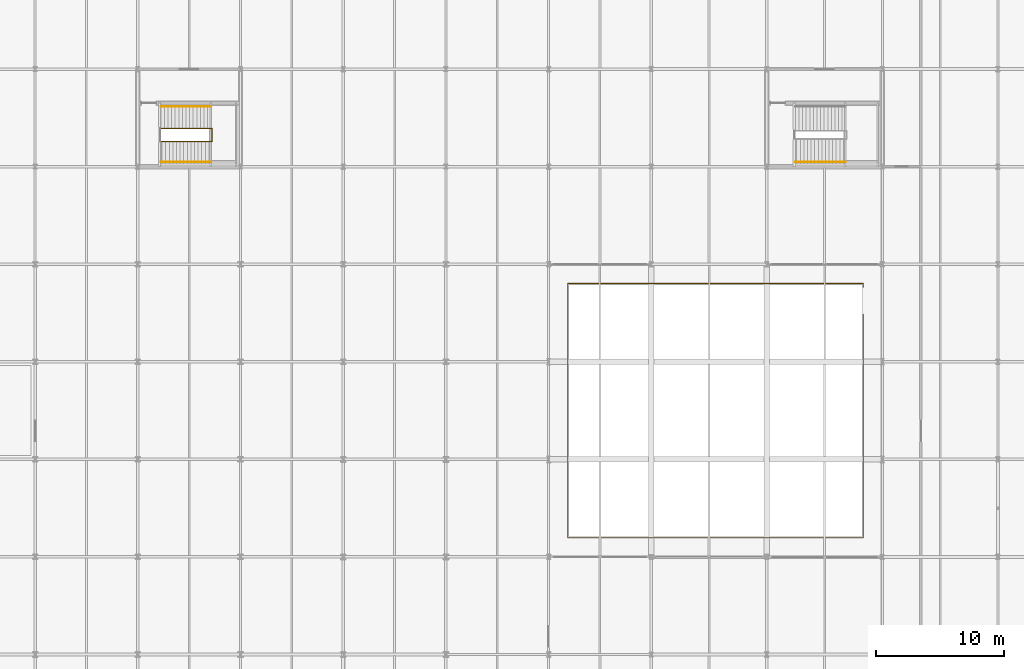
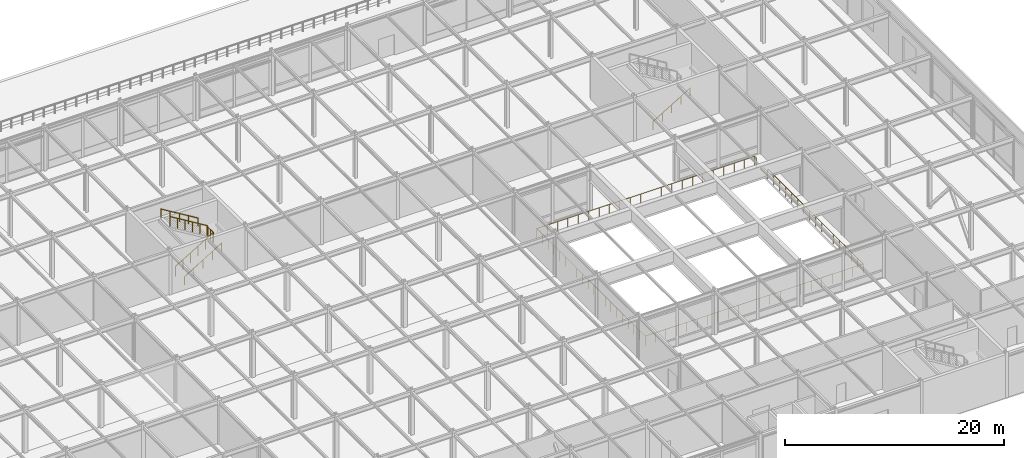
# One storey, part 75 of 79: 5 railings.
"""IFC4 building model written with IfcOpenShell, lengths in metres."""

from ifc_helpers import new_model, si_unit, direction, frame, origin, origin_2d, place, context, subcontext, project, spatial, circle, extrude, material, type_object, element, save


model = new_model("IFC4")

# Units and contexts
model_context = context("Model", 3, precision=1e-05, world=origin(), true_north=direction((0.0, 1.0)))
body_context = subcontext(model_context, "Body", "Model", "MODEL_VIEW")
ifc_project = project(units=[si_unit("LENGTHUNIT", "METRE"), si_unit("AREAUNIT", "SQUARE_METRE"), si_unit("VOLUMEUNIT", "CUBIC_METRE"), si_unit("PLANEANGLEUNIT", "RADIAN"), si_unit("MASSUNIT", "GRAM", prefix="KILO")], contexts=[model_context])

# Site, building, storey
site_placement = place(None, origin())
site = spatial("IfcSite", under=ifc_project, at=site_placement, CompositionType="ELEMENT")
building_placement = place(site_placement, origin())
building = spatial("IfcBuilding", under=site, at=building_placement, Name="Shalkamar Park Central Library", CompositionType="ELEMENT")
storey_placement = place(building_placement, frame((0.0, 0.0, 10.5)))
storey = spatial("IfcBuildingStorey", under=building, at=storey_placement, Name="L03", CompositionType="ELEMENT", Elevation=10.5)

# Railings
ifc_material = material(Name="Steel S355", Category="steel")
railing_type_1 = type_object("IfcRailingType", Name="Atrium Balustrade Guard 1100", PredefinedType="GUARDRAIL", material=ifc_material)
railing_1_placement = place(storey_placement, frame((253.5, 289.300048828125, 0.0)))
element("IfcRailing", 1, at=railing_1_placement, inside=storey, type_object=railing_type_1, Name="Atrium Void Balustrade L03", PredefinedType="GUARDRAIL", context=body_context, shape_type="SweptSolid", body=[
    extrude(circle(Radius=0.02392578125, at=origin_2d()), frame((0.0, 0.0, 1.076171875), z_axis=(0.0, -1.0, 0.0), x_axis=(1.0, 0.0, 0.0)), (0.0, 0.0, 1.0), 17.400146484375),
    extrude(circle(Radius=0.02392578125, at=origin_2d()), frame((0.0, -17.400146484375, 1.076171875), z_axis=(-1.0, 0.0, 0.0), x_axis=(0.0, -1.0, 0.0)), (0.0, 0.0, 1.0), 23.0),
    extrude(circle(Radius=0.02392578125, at=origin_2d()), frame((-23.0, -17.400146484375, 1.076171875), z_axis=(0.0, 1.0, 0.0), x_axis=(-1.0, 0.0, 0.0)), (0.0, 0.0, 1.0), 19.800048828125),
    extrude(circle(Radius=0.02392578125, at=origin_2d()), frame((-23.0, 2.39990234375, 1.076171875), z_axis=(1.0, 0.0, 0.0), x_axis=(0.0, 1.0, 0.0)), (0.0, 0.0, 1.0), 23.0),
    extrude(circle(Radius=0.02392578125, at=origin_2d()), frame((0.0, 2.39990234375, 1.076171875), z_axis=(0.0, -1.0, 0.0), x_axis=(1.0, 0.0, 0.0)), (0.0, 0.0, 1.0), 0.300048828125),
    extrude(circle(Radius=0.02099609375, at=origin_2d()), origin(), (0.0, 0.0, 1.0), 1.052001953125),
    extrude(circle(Radius=0.02099609375, at=origin_2d()), frame((0.0, -1.08740234375, 0.0)), (0.0, 0.0, 1.0), 1.052001953125),
    extrude(circle(Radius=0.02099609375, at=origin_2d()), frame((0.0, -2.175048828125, 0.0)), (0.0, 0.0, 1.0), 1.052001953125),
    extrude(circle(Radius=0.02099609375, at=origin_2d()), frame((0.0, -3.262451171875, 0.0)), (0.0, 0.0, 1.0), 1.052001953125),
    extrude(circle(Radius=0.02099609375, at=origin_2d()), frame((0.0, -4.35009765625, 0.0)), (0.0, 0.0, 1.0), 1.052001953125),
    extrude(circle(Radius=0.02099609375, at=origin_2d()), frame((0.0, -5.4375, 0.0)), (0.0, 0.0, 1.0), 1.052001953125),
    extrude(circle(Radius=0.02099609375, at=origin_2d()), frame((0.0, -6.525146484375, 0.0)), (0.0, 0.0, 1.0), 1.052001953125),
    extrude(circle(Radius=0.02099609375, at=origin_2d()), frame((0.0, -7.612548828125, 0.0)), (0.0, 0.0, 1.0), 1.052001953125),
    extrude(circle(Radius=0.02099609375, at=origin_2d()), frame((0.0, -8.7001953125, 0.0)), (0.0, 0.0, 1.0), 1.052001953125),
    extrude(circle(Radius=0.02099609375, at=origin_2d()), frame((0.0, -9.78759765625, 0.0)), (0.0, 0.0, 1.0), 1.052001953125),
    extrude(circle(Radius=0.02099609375, at=origin_2d()), frame((0.0, -10.875, 0.0)), (0.0, 0.0, 1.0), 1.052001953125),
    extrude(circle(Radius=0.02099609375, at=origin_2d()), frame((0.0, -11.962646484375, 0.0)), (0.0, 0.0, 1.0), 1.052001953125),
    extrude(circle(Radius=0.02099609375, at=origin_2d()), frame((0.0, -13.050048828125, 0.0)), (0.0, 0.0, 1.0), 1.052001953125),
    extrude(circle(Radius=0.02099609375, at=origin_2d()), frame((0.0, -14.1376953125, 0.0)), (0.0, 0.0, 1.0), 1.052001953125),
    extrude(circle(Radius=0.02099609375, at=origin_2d()), frame((0.0, -15.22509765625, 0.0)), (0.0, 0.0, 1.0), 1.052001953125),
    extrude(circle(Radius=0.02099609375, at=origin_2d()), frame((0.0, -16.312744140625, 0.0)), (0.0, 0.0, 1.0), 1.052001953125),
    extrude(circle(Radius=0.02099609375, at=origin_2d()), frame((0.0, -17.400146484375, 0.0)), (0.0, 0.0, 1.0), 1.052001953125),
    extrude(circle(Radius=0.02099609375, at=origin_2d()), frame((-1.09521484375, -17.400146484375, 0.0)), (0.0, 0.0, 1.0), 1.052001953125),
    extrude(circle(Radius=0.02099609375, at=origin_2d()), frame((-2.1904296875, -17.400146484375, 0.0)), (0.0, 0.0, 1.0), 1.052001953125),
    extrude(circle(Radius=0.02099609375, at=origin_2d()), frame((-3.28564453125, -17.400146484375, 0.0)), (0.0, 0.0, 1.0), 1.052001953125),
    extrude(circle(Radius=0.02099609375, at=origin_2d()), frame((-4.380859375, -17.400146484375, 0.0)), (0.0, 0.0, 1.0), 1.052001953125),
    extrude(circle(Radius=0.02099609375, at=origin_2d()), frame((-5.47607421875, -17.400146484375, 0.0)), (0.0, 0.0, 1.0), 1.052001953125),
    extrude(circle(Radius=0.02099609375, at=origin_2d()), frame((-6.571533203125, -17.400146484375, 0.0)), (0.0, 0.0, 1.0), 1.052001953125),
    extrude(circle(Radius=0.02099609375, at=origin_2d()), frame((-7.666748046875, -17.400146484375, 0.0)), (0.0, 0.0, 1.0), 1.052001953125),
    extrude(circle(Radius=0.02099609375, at=origin_2d()), frame((-8.761962890625, -17.400146484375, 0.0)), (0.0, 0.0, 1.0), 1.052001953125),
    extrude(circle(Radius=0.02099609375, at=origin_2d()), frame((-9.857177734375, -17.400146484375, 0.0)), (0.0, 0.0, 1.0), 1.052001953125),
    extrude(circle(Radius=0.02099609375, at=origin_2d()), frame((-10.952392578125, -17.400146484375, 0.0)), (0.0, 0.0, 1.0), 1.052001953125),
    extrude(circle(Radius=0.02099609375, at=origin_2d()), frame((-12.047607421875, -17.400146484375, 0.0)), (0.0, 0.0, 1.0), 1.052001953125),
    extrude(circle(Radius=0.02099609375, at=origin_2d()), frame((-13.142822265625, -17.400146484375, 0.0)), (0.0, 0.0, 1.0), 1.052001953125),
    extrude(circle(Radius=0.02099609375, at=origin_2d()), frame((-14.238037109375, -17.400146484375, 0.0)), (0.0, 0.0, 1.0), 1.052001953125),
    extrude(circle(Radius=0.02099609375, at=origin_2d()), frame((-15.333251953125, -17.400146484375, 0.0)), (0.0, 0.0, 1.0), 1.052001953125),
    extrude(circle(Radius=0.02099609375, at=origin_2d()), frame((-16.428466796875, -17.400146484375, 0.0)), (0.0, 0.0, 1.0), 1.052001953125),
    extrude(circle(Radius=0.02099609375, at=origin_2d()), frame((-17.52392578125, -17.400146484375, 0.0)), (0.0, 0.0, 1.0), 1.052001953125),
    extrude(circle(Radius=0.02099609375, at=origin_2d()), frame((-18.619140625, -17.400146484375, 0.0)), (0.0, 0.0, 1.0), 1.052001953125),
    extrude(circle(Radius=0.02099609375, at=origin_2d()), frame((-19.71435546875, -17.400146484375, 0.0)), (0.0, 0.0, 1.0), 1.052001953125),
    extrude(circle(Radius=0.02099609375, at=origin_2d()), frame((-20.8095703125, -17.400146484375, 0.0)), (0.0, 0.0, 1.0), 1.052001953125),
    extrude(circle(Radius=0.02099609375, at=origin_2d()), frame((-21.90478515625, -17.400146484375, 0.0)), (0.0, 0.0, 1.0), 1.052001953125),
    extrude(circle(Radius=0.02099609375, at=origin_2d()), frame((-23.0, -17.400146484375, 0.0)), (0.0, 0.0, 1.0), 1.052001953125),
    extrude(circle(Radius=0.02099609375, at=origin_2d()), frame((-23.0, -16.358154296875, 0.0)), (0.0, 0.0, 1.0), 1.052001953125),
    extrude(circle(Radius=0.02099609375, at=origin_2d()), frame((-23.0, -15.31591796875, 0.0)), (0.0, 0.0, 1.0), 1.052001953125),
    extrude(circle(Radius=0.02099609375, at=origin_2d()), frame((-23.0, -14.27392578125, 0.0)), (0.0, 0.0, 1.0), 1.052001953125),
    extrude(circle(Radius=0.02099609375, at=origin_2d()), frame((-23.0, -13.231689453125, 0.0)), (0.0, 0.0, 1.0), 1.052001953125),
    extrude(circle(Radius=0.02099609375, at=origin_2d()), frame((-23.0, -12.189697265625, 0.0)), (0.0, 0.0, 1.0), 1.052001953125),
    extrude(circle(Radius=0.02099609375, at=origin_2d()), frame((-23.0, -11.1474609375, 0.0)), (0.0, 0.0, 1.0), 1.052001953125),
    extrude(circle(Radius=0.02099609375, at=origin_2d()), frame((-23.0, -10.10546875, 0.0)), (0.0, 0.0, 1.0), 1.052001953125),
    extrude(circle(Radius=0.02099609375, at=origin_2d()), frame((-23.0, -9.063232421875, 0.0)), (0.0, 0.0, 1.0), 1.052001953125),
    extrude(circle(Radius=0.02099609375, at=origin_2d()), frame((-23.0, -8.021240234375, 0.0)), (0.0, 0.0, 1.0), 1.052001953125),
    extrude(circle(Radius=0.02099609375, at=origin_2d()), frame((-23.0, -6.97900390625, 0.0)), (0.0, 0.0, 1.0), 1.052001953125),
    extrude(circle(Radius=0.02099609375, at=origin_2d()), frame((-23.0, -5.93701171875, 0.0)), (0.0, 0.0, 1.0), 1.052001953125),
    extrude(circle(Radius=0.02099609375, at=origin_2d()), frame((-23.0, -4.894775390625, 0.0)), (0.0, 0.0, 1.0), 1.052001953125),
    extrude(circle(Radius=0.02099609375, at=origin_2d()), frame((-23.0, -3.852783203125, 0.0)), (0.0, 0.0, 1.0), 1.052001953125),
    extrude(circle(Radius=0.02099609375, at=origin_2d()), frame((-23.0, -2.810546875, 0.0)), (0.0, 0.0, 1.0), 1.052001953125),
    extrude(circle(Radius=0.02099609375, at=origin_2d()), frame((-23.0, -1.7685546875, 0.0)), (0.0, 0.0, 1.0), 1.052001953125),
    extrude(circle(Radius=0.02099609375, at=origin_2d()), frame((-23.0, -0.726318359375, 0.0)), (0.0, 0.0, 1.0), 1.052001953125),
    extrude(circle(Radius=0.02099609375, at=origin_2d()), frame((-23.0, 0.315673828125, 0.0)), (0.0, 0.0, 1.0), 1.052001953125),
    extrude(circle(Radius=0.02099609375, at=origin_2d()), frame((-23.0, 1.35791015625, 0.0)), (0.0, 0.0, 1.0), 1.052001953125),
    extrude(circle(Radius=0.02099609375, at=origin_2d()), frame((-23.0, 2.39990234375, 0.0)), (0.0, 0.0, 1.0), 1.052001953125),
    extrude(circle(Radius=0.02099609375, at=origin_2d()), frame((-21.90478515625, 2.39990234375, 0.0)), (0.0, 0.0, 1.0), 1.052001953125),
    extrude(circle(Radius=0.02099609375, at=origin_2d()), frame((-20.8095703125, 2.39990234375, 0.0)), (0.0, 0.0, 1.0), 1.052001953125),
    extrude(circle(Radius=0.02099609375, at=origin_2d()), frame((-19.71435546875, 2.39990234375, 0.0)), (0.0, 0.0, 1.0), 1.052001953125),
    extrude(circle(Radius=0.02099609375, at=origin_2d()), frame((-18.619140625, 2.39990234375, 0.0)), (0.0, 0.0, 1.0), 1.052001953125),
    extrude(circle(Radius=0.02099609375, at=origin_2d()), frame((-17.52392578125, 2.39990234375, 0.0)), (0.0, 0.0, 1.0), 1.052001953125),
    extrude(circle(Radius=0.02099609375, at=origin_2d()), frame((-16.428466796875, 2.39990234375, 0.0)), (0.0, 0.0, 1.0), 1.052001953125),
    extrude(circle(Radius=0.02099609375, at=origin_2d()), frame((-15.333251953125, 2.39990234375, 0.0)), (0.0, 0.0, 1.0), 1.052001953125),
    extrude(circle(Radius=0.02099609375, at=origin_2d()), frame((-14.238037109375, 2.39990234375, 0.0)), (0.0, 0.0, 1.0), 1.052001953125),
    extrude(circle(Radius=0.02099609375, at=origin_2d()), frame((-13.142822265625, 2.39990234375, 0.0)), (0.0, 0.0, 1.0), 1.052001953125),
    extrude(circle(Radius=0.02099609375, at=origin_2d()), frame((-12.047607421875, 2.39990234375, 0.0)), (0.0, 0.0, 1.0), 1.052001953125),
    extrude(circle(Radius=0.02099609375, at=origin_2d()), frame((-10.952392578125, 2.39990234375, 0.0)), (0.0, 0.0, 1.0), 1.052001953125),
    extrude(circle(Radius=0.02099609375, at=origin_2d()), frame((-9.857177734375, 2.39990234375, 0.0)), (0.0, 0.0, 1.0), 1.052001953125),
    extrude(circle(Radius=0.02099609375, at=origin_2d()), frame((-8.761962890625, 2.39990234375, 0.0)), (0.0, 0.0, 1.0), 1.052001953125),
    extrude(circle(Radius=0.02099609375, at=origin_2d()), frame((-7.666748046875, 2.39990234375, 0.0)), (0.0, 0.0, 1.0), 1.052001953125),
    extrude(circle(Radius=0.02099609375, at=origin_2d()), frame((-6.571533203125, 2.39990234375, 0.0)), (0.0, 0.0, 1.0), 1.052001953125),
    extrude(circle(Radius=0.02099609375, at=origin_2d()), frame((-5.47607421875, 2.39990234375, 0.0)), (0.0, 0.0, 1.0), 1.052001953125),
    extrude(circle(Radius=0.02099609375, at=origin_2d()), frame((-4.380859375, 2.39990234375, 0.0)), (0.0, 0.0, 1.0), 1.052001953125),
    extrude(circle(Radius=0.02099609375, at=origin_2d()), frame((-3.28564453125, 2.39990234375, 0.0)), (0.0, 0.0, 1.0), 1.052001953125),
    extrude(circle(Radius=0.02099609375, at=origin_2d()), frame((-2.1904296875, 2.39990234375, 0.0)), (0.0, 0.0, 1.0), 1.052001953125),
    extrude(circle(Radius=0.02099609375, at=origin_2d()), frame((-1.09521484375, 2.39990234375, 0.0)), (0.0, 0.0, 1.0), 1.052001953125),
    extrude(circle(Radius=0.02099609375, at=origin_2d()), frame((0.0, 2.39990234375, 0.0)), (0.0, 0.0, 1.0), 1.052001953125),
    extrude(circle(Radius=0.02099609375, at=origin_2d()), frame((0.0, 2.099853515625, 0.0)), (0.0, 0.0, 1.0), 1.052001953125),
])
railing_type_2 = type_object("IfcRailingType", Name="Stair Guardrail 1100", PredefinedType="GUARDRAIL", material=ifc_material)
railing_2_placement = place(storey_placement, frame((198.794921875, 302.764892578125, 0.169921875)))
element("IfcRailing", 2, at=railing_2_placement, inside=storey, type_object=railing_type_2, Name="Stair Inner Well Guardrail ST-P7-L03", PredefinedType="GUARDRAIL", context=body_context, shape_type="SweptSolid", body=[
    extrude(circle(Radius=0.02392578125, at=origin_2d()), frame((0.0, 0.0, 1.076171875), z_axis=(0.854784984964, 0.0, 0.518982301701), x_axis=(0.0, 1.0, 0.0)), (0.0, 0.0, 1.0), 4.586181640625),
    extrude(circle(Radius=0.02392578125, at=origin_2d()), frame((3.920166015625, 0.0, 3.4560546875), z_axis=(1.0, 0.0, 0.0), x_axis=(0.0, 1.0, 0.0)), (0.0, 0.0, 1.0), 0.059814453125),
    extrude(circle(Radius=0.02392578125, at=origin_2d()), frame((3.97998046875, 0.0, 3.4560546875), z_axis=(0.0, 1.0, 0.0), x_axis=(-1.0, 0.0, 0.0)), (0.0, 0.0, 1.0), 1.02001953125),
    extrude(circle(Radius=0.02392578125, at=origin_2d()), frame((3.97998046875, 1.02001953125, 3.4560546875), z_axis=(-0.332040204651, 0.0, 0.943265234436), x_axis=(0.0, -1.0, 0.0)), (0.0, 0.0, 1.0), 0.18017578125),
    extrude(circle(Radius=0.02392578125, at=origin_2d()), frame((3.920166015625, 1.02001953125, 3.6259765625), z_axis=(-0.854784984964, 0.0, 0.518982301701), x_axis=(0.0, -1.0, 0.0)), (0.0, 0.0, 1.0), 4.586181640625),
    extrude(circle(Radius=0.02099609375, at=origin_2d()), origin(), (0.0, 0.0, 1.0), 1.052001953125),
    extrude(circle(Radius=0.02099609375, at=origin_2d()), frame((0.783935546875, 0.0, 0.47607421875)), (0.0, 0.0, 1.0), 1.052001953125),
    extrude(circle(Radius=0.02099609375, at=origin_2d()), frame((1.568115234375, 0.0, 0.9521484375)), (0.0, 0.0, 1.0), 1.052001953125),
    extrude(circle(Radius=0.02099609375, at=origin_2d()), frame((2.35205078125, 0.0, 1.427978515625)), (0.0, 0.0, 1.0), 1.052001953125),
    extrude(circle(Radius=0.02099609375, at=origin_2d()), frame((3.13623046875, 0.0, 1.904052734375)), (0.0, 0.0, 1.0), 1.052001953125),
    extrude(circle(Radius=0.02099609375, at=origin_2d()), frame((3.920166015625, 0.0, 2.380126953125)), (0.0, 0.0, 1.0), 1.052001953125),
    extrude(circle(Radius=0.02099609375, at=origin_2d()), frame((3.97998046875, 0.0, 2.380126953125)), (0.0, 0.0, 1.0), 1.052001953125),
    extrude(circle(Radius=0.02099609375, at=origin_2d()), frame((3.97998046875, 0.510009765625, 2.380126953125)), (0.0, 0.0, 1.0), 1.052001953125),
    extrude(circle(Radius=0.02099609375, at=origin_2d()), frame((3.97998046875, 1.02001953125, 2.380126953125)), (0.0, 0.0, 1.0), 1.052001953125),
    extrude(circle(Radius=0.02099609375, at=origin_2d()), frame((3.920166015625, 1.02001953125, 2.550048828125)), (0.0, 0.0, 1.0), 1.052001953125),
    extrude(circle(Radius=0.02099609375, at=origin_2d()), frame((3.13623046875, 1.02001953125, 3.026123046875)), (0.0, 0.0, 1.0), 1.052001953125),
    extrude(circle(Radius=0.02099609375, at=origin_2d()), frame((2.35205078125, 1.02001953125, 3.502197265625)), (0.0, 0.0, 1.0), 1.052001953125),
    extrude(circle(Radius=0.02099609375, at=origin_2d()), frame((1.568115234375, 1.02001953125, 3.97802734375)), (0.0, 0.0, 1.0), 1.052001953125),
    extrude(circle(Radius=0.02099609375, at=origin_2d()), frame((0.783935546875, 1.02001953125, 4.4541015625)), (0.0, 0.0, 1.0), 1.052001953125),
    extrude(circle(Radius=0.02099609375, at=origin_2d()), frame((0.0, 1.02001953125, 4.93017578125)), (0.0, 0.0, 1.0), 1.052001953125),
])
railing_type_3 = type_object("IfcRailingType", Name="Stair Pitched Handrail 920", PredefinedType="HANDRAIL", material=ifc_material)
railing_3_placement = place(storey_placement, frame((248.22509765625, 301.155029296875, 0.169921875)))
element("IfcRailing", 3, at=railing_3_placement, inside=storey, type_object=railing_type_3, Name="Stair Wall Handrail ST-P4-L03 Flight 1", PredefinedType="HANDRAIL", context=body_context, shape_type="SweptSolid", body=[
    extrude(circle(Radius=0.02392578125, at=origin_2d()), frame((0.0, 0.0, 0.89599609375), z_axis=(0.854770645689, 0.0, 0.519005918337), x_axis=(0.0, 1.0, 0.0)), (0.0, 0.0, 1.0), 4.5859375),
    extrude(circle(Radius=0.02099609375, at=origin_2d()), origin(), (0.0, 0.0, 1.0), 0.871826171875),
    extrude(circle(Radius=0.02099609375, at=origin_2d()), frame((0.97998046875, 0.0, 0.594970703125)), (0.0, 0.0, 1.0), 0.871826171875),
    extrude(circle(Radius=0.02099609375, at=origin_2d()), frame((1.9599609375, 0.0, 1.18994140625)), (0.0, 0.0, 1.0), 0.871826171875),
    extrude(circle(Radius=0.02099609375, at=origin_2d()), frame((2.93994140625, 0.0, 1.78515625)), (0.0, 0.0, 1.0), 0.871826171875),
    extrude(circle(Radius=0.02099609375, at=origin_2d()), frame((3.919921875, 0.0, 2.380126953125)), (0.0, 0.0, 1.0), 0.871826171875),
])
railing_4_placement = place(storey_placement, frame((198.794921875, 301.155029296875, 0.169921875)))
element("IfcRailing", 4, at=railing_4_placement, inside=storey, type_object=railing_type_3, Name="Stair Wall Handrail ST-P7-L03 Flight 1", PredefinedType="HANDRAIL", context=body_context, shape_type="SweptSolid", body=[
    extrude(circle(Radius=0.02392578125, at=origin_2d()), frame((0.0, 0.0, 0.89599609375), z_axis=(0.854784984964, 0.0, 0.518982301701), x_axis=(0.0, 1.0, 0.0)), (0.0, 0.0, 1.0), 4.586181640625),
    extrude(circle(Radius=0.02099609375, at=origin_2d()), origin(), (0.0, 0.0, 1.0), 0.871826171875),
    extrude(circle(Radius=0.02099609375, at=origin_2d()), frame((0.97998046875, 0.0, 0.594970703125)), (0.0, 0.0, 1.0), 0.871826171875),
    extrude(circle(Radius=0.02099609375, at=origin_2d()), frame((1.9599609375, 0.0, 1.18994140625)), (0.0, 0.0, 1.0), 0.871826171875),
    extrude(circle(Radius=0.02099609375, at=origin_2d()), frame((2.940185546875, 0.0, 1.78515625)), (0.0, 0.0, 1.0), 0.871826171875),
    extrude(circle(Radius=0.02099609375, at=origin_2d()), frame((3.920166015625, 0.0, 2.380126953125)), (0.0, 0.0, 1.0), 0.871826171875),
])
railing_5_placement = place(storey_placement, frame((202.715087890625, 305.47509765625, 2.719970703125)))
element("IfcRailing", 5, at=railing_5_placement, inside=storey, type_object=railing_type_3, Name="Stair Wall Handrail ST-P7-L03 Flight 2", PredefinedType="HANDRAIL", context=body_context, shape_type="SweptSolid", body=[
    extrude(circle(Radius=0.02392578125, at=origin_2d()), frame((0.0, 0.0, 0.89599609375), z_axis=(-0.854784984964, 0.0, 0.518982301701), x_axis=(0.0, -1.0, 0.0)), (0.0, 0.0, 1.0), 4.586181640625),
    extrude(circle(Radius=0.02099609375, at=origin_2d()), origin(), (0.0, 0.0, 1.0), 0.871826171875),
    extrude(circle(Radius=0.02099609375, at=origin_2d()), frame((-0.97998046875, 0.0, 0.594970703125)), (0.0, 0.0, 1.0), 0.871826171875),
    extrude(circle(Radius=0.02099609375, at=origin_2d()), frame((-1.9599609375, 0.0, 1.18994140625)), (0.0, 0.0, 1.0), 0.871826171875),
    extrude(circle(Radius=0.02099609375, at=origin_2d()), frame((-2.940185546875, 0.0, 1.78515625)), (0.0, 0.0, 1.0), 0.871826171875),
    extrude(circle(Radius=0.02099609375, at=origin_2d()), frame((-3.920166015625, 0.0, 2.380126953125)), (0.0, 0.0, 1.0), 0.871826171875),
])

save(model, "model.ifc")
